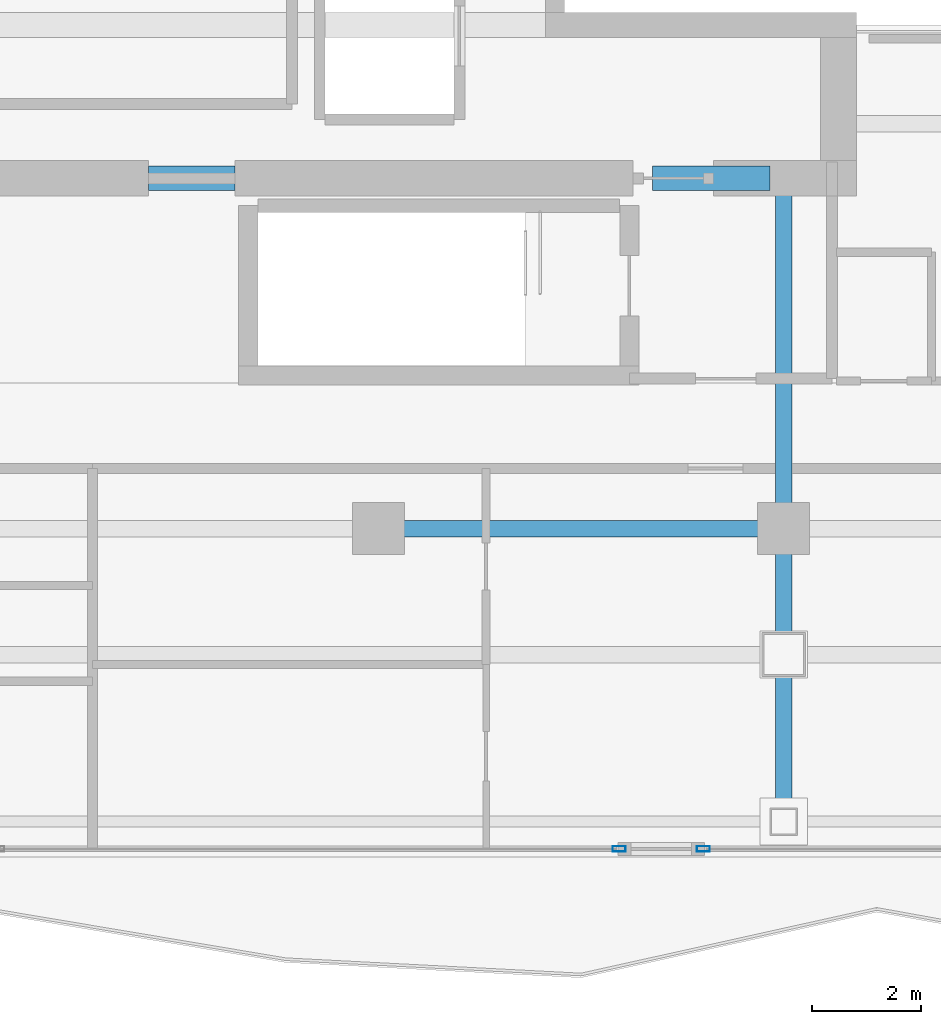
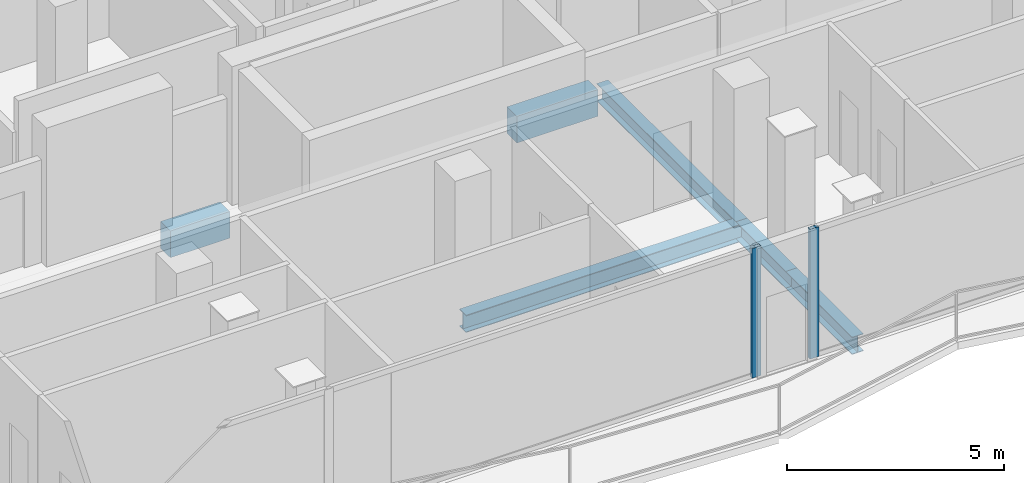
# One storey, part 4 of 22: 6 beams, 2 members, 2 elements without a shape of their own.
"""IFC4 building model written with IfcOpenShell, lengths in metres."""

from ifc_helpers import new_model, si_unit, direction, frame, origin, origin_2d, place, context, subcontext, project, spatial, rectangle, hollow_rectangle, i_section, extrude, material, layer, layer_set, material_profile, profile_set, type_object, element, aggregate, save


model = new_model("IFC4")

# Units and contexts
model_context = context("Model", 3, precision=1e-05, world=origin(), true_north=direction((0.0, 1.0)))
body_context = subcontext(model_context, "Body", "Model", "MODEL_VIEW")
ifc_project = project(units=[si_unit("LENGTHUNIT", "METRE"), si_unit("AREAUNIT", "SQUARE_METRE"), si_unit("VOLUMEUNIT", "CUBIC_METRE"), si_unit("PLANEANGLEUNIT", "RADIAN"), si_unit("MASSUNIT", "GRAM", prefix="KILO")], contexts=[model_context])

# Site, building, storey
site_placement = place(None, origin())
site = spatial("IfcSite", under=ifc_project, at=site_placement, CompositionType="ELEMENT")
building_placement = place(site_placement, origin())
building = spatial("IfcBuilding", under=site, at=building_placement, Name="Khorvyn Point Tower", CompositionType="ELEMENT")
storey_placement = place(building_placement, frame((0.0, 0.0, 309.300048828125)))
storey = spatial("IfcBuildingStorey", under=building, at=storey_placement, Name="L76", CompositionType="ELEMENT", Elevation=309.300048828125)

# Curtain wall, member
ifc_material_1 = material(Name="Anodised aluminium 6063-T6 and laminated Low-E glass", Category="aluminium")
ifc_layer = layer(ifc_material_1, 0.18994140625)
ifc_layer_set = layer_set([ifc_layer], Name="Stick-Built High-Wind Curtain Wall CW-SYS-04")
curtain_wall_type = type_object("IfcCurtainWallType", Name="Stick-Built High-Wind Curtain Wall CW-SYS-04", PredefinedType="NOTDEFINED", material=ifc_layer_set)
curtain_wall_1_placement = place(storey_placement, origin())
curtain_wall_1 = element("IfcCurtainWall", 1, at=curtain_wall_1_placement, inside=storey, type_object=curtain_wall_type, Name="Curtain Wall", PredefinedType="NOTDEFINED")
ifc_material_2 = material(Name="Anodised aluminium 6063-T6", Category="aluminium")
ifc_material_profile_1 = material_profile(ifc_material_2, hollow_rectangle(XDim=0.10009765625, YDim=0.239990234375, WallThickness=0.0048828125, at=origin_2d()))
ifc_profile_set_1 = profile_set([ifc_material_profile_1], Name="Anodised aluminium 6063-T6 ALU-MUL-100x240")
member_type = type_object("IfcMemberType", Name="Anodised Aluminium 6063-T6 Mullion ALU-MUL-100x240", PredefinedType="MULLION", material=ifc_profile_set_1)
member_1_placement = place(storey_placement, frame((5.93310546875, -20.64990234375, 0.0), z_axis=(0.0, 0.0, 1.0), x_axis=(0.0, -1.0, 0.0)))
member_1 = element("IfcMember", 2, at=member_1_placement, type_object=member_type, Name="Transom", PredefinedType="MULLION", context=body_context, shape_type="SweptSolid", body=[
    extrude(hollow_rectangle(XDim=0.10009765625, YDim=0.239990234375, WallThickness=0.0048828125, at=origin_2d()), origin(), (0.0, 0.0, 1.0), 3.639892578125),
])
aggregate(curtain_wall_1, [member_1])

curtain_wall_2_placement = place(storey_placement, origin())
curtain_wall_2 = element("IfcCurtainWall", 3, at=curtain_wall_2_placement, inside=storey, type_object=curtain_wall_type, Name="Curtain Wall", PredefinedType="NOTDEFINED")
member_2_placement = place(storey_placement, frame((4.39306640625, -20.64990234375, 0.0), z_axis=(0.0, 0.0, 1.0), x_axis=(0.0, -1.0, 0.0)))
member_2 = element("IfcMember", 4, at=member_2_placement, type_object=member_type, Name="Transom", PredefinedType="MULLION", context=body_context, shape_type="SweptSolid", body=[
    extrude(hollow_rectangle(XDim=0.10009765625, YDim=0.239990234375, WallThickness=0.0048828125, at=origin_2d()), origin(), (0.0, 0.0, 1.0), 3.639892578125),
])
aggregate(curtain_wall_2, [member_2])

# Beams
ifc_material_3 = material(Name="Concrete C40/50", Category="concrete")
ifc_material_profile_2 = material_profile(ifc_material_3, rectangle(XDim=0.449951171875, YDim=0.75, at=origin_2d()))
ifc_profile_set_2 = profile_set([ifc_material_profile_2], Name="Concrete C40/50 RC450x750")
beam_type_1 = type_object("IfcBeamType", Name="Concrete C40/50 Beam RC450x750", PredefinedType="BEAM", material=ifc_profile_set_2)
beam_1_placement = place(storey_placement, frame((-4.199951171875, -8.39990234375, -0.594970703125), z_axis=(1.0, 0.0, 0.0), x_axis=(0.0, 1.0, 0.0)))
element("IfcBeam", 5, at=beam_1_placement, inside=storey, type_object=beam_type_1, Name="L76 Core Shuttle Portal Coupling Beam", PredefinedType="BEAM", context=body_context, shape_type="SweptSolid", body=[
    extrude(rectangle(XDim=0.449951171875, YDim=0.75, at=origin_2d()), origin(), (0.0, 0.0, 1.0), 1.579833984375),
])
beam_2_placement = place(storey_placement, frame((5.0, -8.39990234375, -0.594970703125), z_axis=(1.0, 0.0, 0.0), x_axis=(0.0, 1.0, 0.0)))
element("IfcBeam", 6, at=beam_2_placement, inside=storey, type_object=beam_type_1, Name="L76 Core Southeast Portal Coupling Beam", PredefinedType="BEAM", context=body_context, shape_type="SweptSolid", body=[
    extrude(rectangle(XDim=0.449951171875, YDim=0.75, at=origin_2d()), origin(), (0.0, 0.0, 1.0), 2.14990234375),
])
ifc_material_4 = material(Name="Steel S355", Category="steel")
ifc_material_profile_3 = material_profile(ifc_material_4, i_section(OverallWidth=0.300048828125, OverallDepth=0.488037109375, WebThickness=0.010986328125, FlangeThickness=0.01806640625, at=origin_2d()))
ifc_profile_set_3 = profile_set([ifc_material_profile_3], Name="Steel S355 H488x300x11x18")
beam_type_2 = type_object("IfcBeamType", Name="Steel S355 Spandrel H488x300x11x18", PredefinedType="SPANDREL", material=ifc_profile_set_3)
beam_3_placement = place(storey_placement, frame((0.0, -14.800048828125, -0.464111328125), z_axis=(1.0, 0.0, 0.0), x_axis=(0.0, 1.0, 0.0)))
element("IfcBeam", 7, at=beam_3_placement, inside=storey, type_object=beam_type_2, Name="Beam", PredefinedType="SPANDREL", context=body_context, shape_type="SweptSolid", body=[
    extrude(i_section(OverallWidth=0.300048828125, OverallDepth=0.488037109375, WebThickness=0.010986328125, FlangeThickness=0.01806640625, at=origin_2d()), origin(), (0.0, 0.0, 1.0), 7.39990234375),
])
beam_4_placement = place(storey_placement, frame((7.39990234375, -20.14990234375, -0.464111328125), z_axis=(0.0, 1.0, 0.0), x_axis=(-1.0, 0.0, 0.0)))
element("IfcBeam", 8, at=beam_4_placement, inside=storey, type_object=beam_type_2, Name="Beam", PredefinedType="SPANDREL", context=body_context, shape_type="SweptSolid", body=[
    extrude(i_section(OverallWidth=0.300048828125, OverallDepth=0.488037109375, WebThickness=0.010986328125, FlangeThickness=0.01806640625, at=origin_2d()), origin(), (0.0, 0.0, 1.0), 3.0498046875),
])
beam_5_placement = place(storey_placement, frame((7.39990234375, -17.10009765625, -0.464111328125), z_axis=(0.0, 1.0, 0.0), x_axis=(-1.0, 0.0, 0.0)))
element("IfcBeam", 9, at=beam_5_placement, inside=storey, type_object=beam_type_2, Name="Beam", PredefinedType="SPANDREL", context=body_context, shape_type="SweptSolid", body=[
    extrude(i_section(OverallWidth=0.300048828125, OverallDepth=0.488037109375, WebThickness=0.010986328125, FlangeThickness=0.01806640625, at=origin_2d()), origin(), (0.0, 0.0, 1.0), 2.300048828125),
])
beam_6_placement = place(storey_placement, frame((7.39990234375, -14.800048828125, -0.464111328125), z_axis=(0.0, 1.0, 0.0), x_axis=(-1.0, 0.0, 0.0)))
element("IfcBeam", 10, at=beam_6_placement, inside=storey, type_object=beam_type_2, Name="Beam", PredefinedType="SPANDREL", context=body_context, shape_type="SweptSolid", body=[
    extrude(i_section(OverallWidth=0.300048828125, OverallDepth=0.488037109375, WebThickness=0.010986328125, FlangeThickness=0.01806640625, at=origin_2d()), origin(), (0.0, 0.0, 1.0), 6.400146484375),
])

save(model, "model.ifc")
